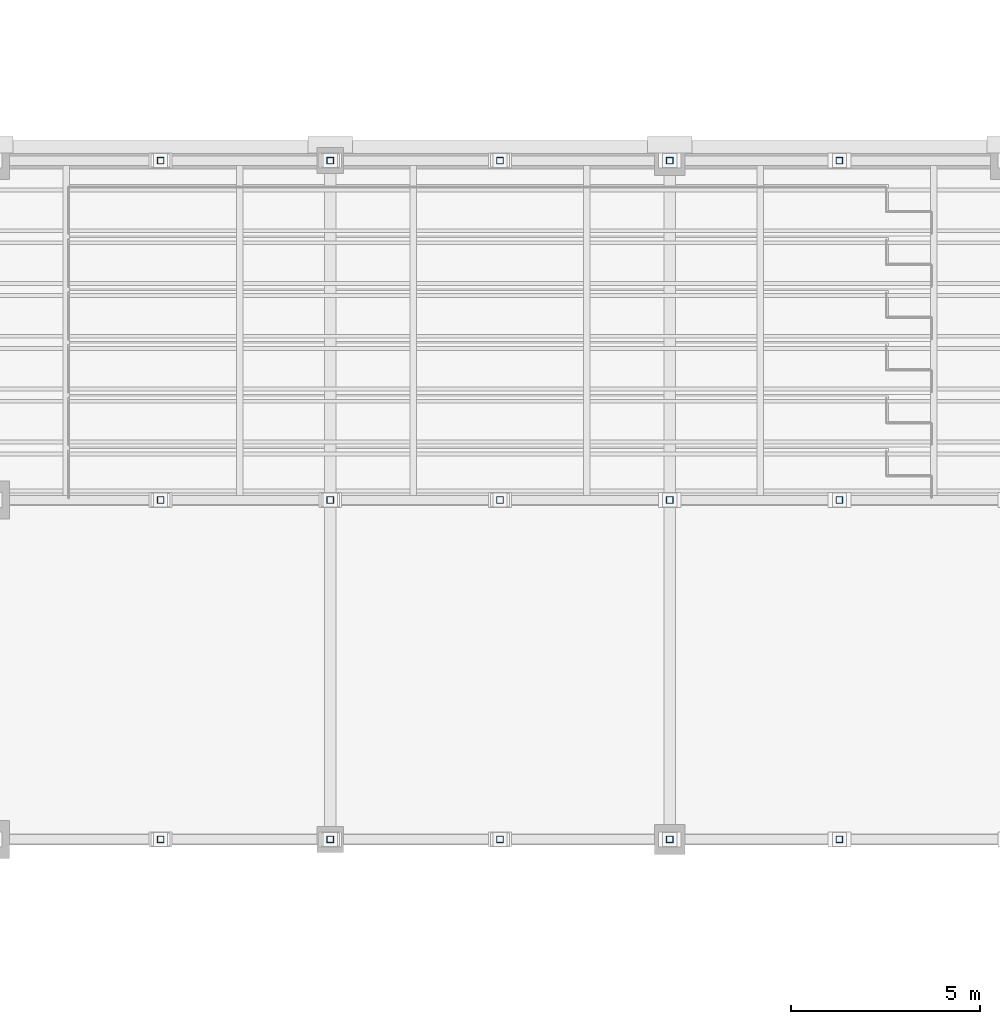
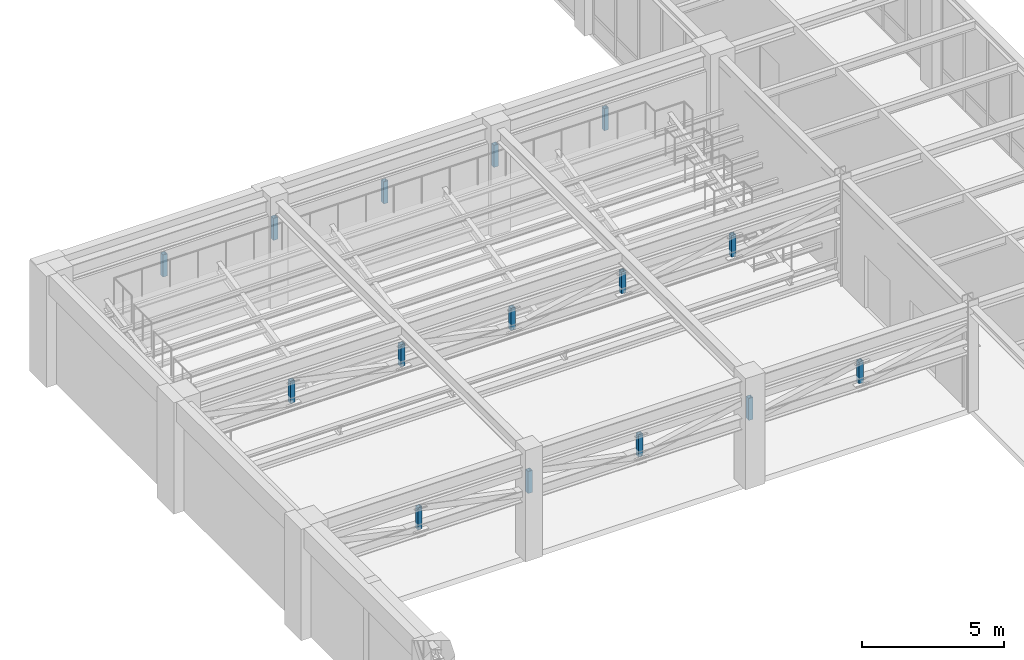
# One storey, part 67 of 92: 15 members.
"""IFC4 building model written with IfcOpenShell, lengths in metres."""

from ifc_helpers import new_model, si_unit, direction, frame, origin, origin_2d, place, context, subcontext, project, spatial, hollow_rectangle, extrude, material, material_profile, profile_set, type_object, element, save


model = new_model("IFC4")

# Units and contexts
model_context = context("Model", 3, precision=1e-05, world=origin(), true_north=direction((0.0, 1.0)))
body_context = subcontext(model_context, "Body", "Model", "MODEL_VIEW")
ifc_project = project(units=[si_unit("LENGTHUNIT", "METRE"), si_unit("AREAUNIT", "SQUARE_METRE"), si_unit("VOLUMEUNIT", "CUBIC_METRE"), si_unit("PLANEANGLEUNIT", "RADIAN"), si_unit("MASSUNIT", "GRAM", prefix="KILO")], contexts=[model_context])

# Site, building, storey
site_placement = place(None, origin())
site = spatial("IfcSite", under=ifc_project, at=site_placement, CompositionType="ELEMENT")
building_placement = place(site_placement, origin())
building = spatial("IfcBuilding", under=site, at=building_placement, Name="Lykobir Media Centre", CompositionType="ELEMENT")
storey_placement = place(building_placement, frame((0.0, 0.0, 5.39990234375)))
storey = spatial("IfcBuildingStorey", under=building, at=storey_placement, Name="L01", CompositionType="ELEMENT", Elevation=5.39990234375)

# Members
ifc_material = material(Name="Steel S355", Category="steel")
ifc_material_profile_1 = material_profile(ifc_material, hollow_rectangle(XDim=0.179931640625, YDim=0.179931640625, WallThickness=0.010009765625, at=origin_2d()), Name="SHS 180x180x10")
ifc_profile_set_1 = profile_set([ifc_material_profile_1], Name="Steel S355")
member_type_1 = type_object("IfcMemberType", Name="BR-SHS180", PredefinedType="BRACE", material=ifc_profile_set_1)
for number, where, z_axis, x_axis, name in (
    (1, (4.5, 27.0, 2.7001953125), (0.0, 0.0, 1.0), (1.0, 0.0, 0.0), "Diagonal brace MEM2-L01-0045-0270-0081-0045-0270-0062"),
    (2, (9.0, 27.0, 2.7001953125), (0.0, 0.0, 1.0), (1.0, 0.0, 0.0), "Diagonal brace MEM2-L01-0090-0270-0081-0090-0270-0064"),
    (3, (13.5, 27.0, 2.7001953125), (0.0, 0.0, 1.0), (1.0, 0.0, 0.0), "Diagonal brace MEM2-L01-0135-0270-0081-0135-0270-0066"),
    (4, (18.0, 27.0, 2.7001953125), (0.0, 0.0, 1.0), (1.0, 0.0, 0.0), "Diagonal brace MEM2-L01-0180-0270-0081-0180-0270-0068"),
    (5, (22.5, 27.0, 2.7001953125), (0.0, 0.0, 1.0), (1.0, 0.0, 0.0), "Diagonal brace MEM2-L01-0225-0270-0081-0225-0270-0070"),
    (6, (4.5, 36.0, 2.7001953125), (0.0, 0.0, 1.0), (1.0, 0.0, 0.0), "Diagonal brace MEM2-L01-0045-0360-0081-0045-0360-0075"),
    (7, (9.0, 36.0, 2.7001953125), (0.0, 0.0, 1.0), (1.0, 0.0, 0.0), "Diagonal brace MEM2-L01-0090-0360-0081-0090-0360-0077"),
    (8, (13.5, 36.0, 2.7001953125), (0.0, 0.0, 1.0), (1.0, 0.0, 0.0), "Diagonal brace MEM2-L01-0135-0360-0081-0135-0360-0079"),
    (9, (18.0, 36.0, 2.7001953125), (0.0, 0.0, 1.0), (1.0, 0.0, 0.0), "Diagonal brace MEM2-L01-0180-0360-0081-0180-0360-0081"),
    (10, (22.5, 36.0, 2.7001953125), (0.0, 0.0, 1.0), (1.0, 0.0, 0.0), "Diagonal brace MEM2-L01-0225-0360-0081-0225-0360-0083"),
):
    element("IfcMember", number, at=place(storey_placement, frame(where, z_axis=z_axis, x_axis=x_axis)), inside=storey, type_object=member_type_1, Name=name, PredefinedType="BRACE", context=body_context, shape_type="SweptSolid", body=[
        extrude(hollow_rectangle(XDim=0.179931640625, YDim=0.179931640625, WallThickness=0.010009765625, at=origin_2d()), origin(), (0.0, 0.0, 1.0), 0.949951171875),
    ])
ifc_material_profile_2 = material_profile(ifc_material, hollow_rectangle(XDim=0.179931640625, YDim=0.179931640625, WallThickness=0.010009765625, at=origin_2d()), Name="SHS 180x180x10")
ifc_profile_set_2 = profile_set([ifc_material_profile_2], Name="Steel S355")
member_type_2 = type_object("IfcMemberType", Name="BR-SHS180-E", PredefinedType="BRACE", material=ifc_profile_set_2)
for number, where, z_axis, x_axis, name in (
    (11, (4.5, 45.0, 2.7001953125), (0.0, 0.0, 1.0), (1.0, 0.0, 0.0), "Diagonal brace MEM2-L01-0045-0450-0081-0045-0450-0088"),
    (12, (9.0, 45.0, 2.7001953125), (0.0, 0.0, 1.0), (1.0, 0.0, 0.0), "Diagonal brace MEM2-L01-0090-0450-0081-0090-0450-0090"),
    (13, (13.5, 45.0, 2.7001953125), (0.0, 0.0, 1.0), (1.0, 0.0, 0.0), "Diagonal brace MEM2-L01-0135-0450-0081-0135-0450-0092"),
    (14, (18.0, 45.0, 2.7001953125), (0.0, 0.0, 1.0), (1.0, 0.0, 0.0), "Diagonal brace MEM2-L01-0180-0450-0081-0180-0450-0094"),
    (15, (22.5, 45.0, 2.7001953125), (0.0, 0.0, 1.0), (1.0, 0.0, 0.0), "Diagonal brace MEM2-L01-0225-0450-0081-0225-0450-0096"),
):
    element("IfcMember", number, at=place(storey_placement, frame(where, z_axis=z_axis, x_axis=x_axis)), inside=storey, type_object=member_type_2, Name=name, PredefinedType="BRACE", context=body_context, shape_type="SweptSolid", body=[
        extrude(hollow_rectangle(XDim=0.179931640625, YDim=0.179931640625, WallThickness=0.010009765625, at=origin_2d()), origin(), (0.0, 0.0, 1.0), 0.949951171875),
    ])

save(model, "model.ifc")
